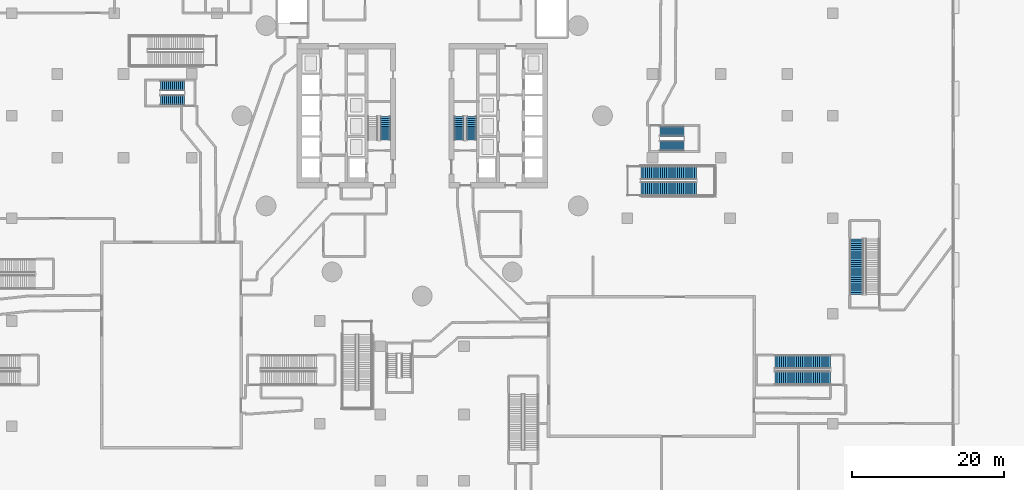
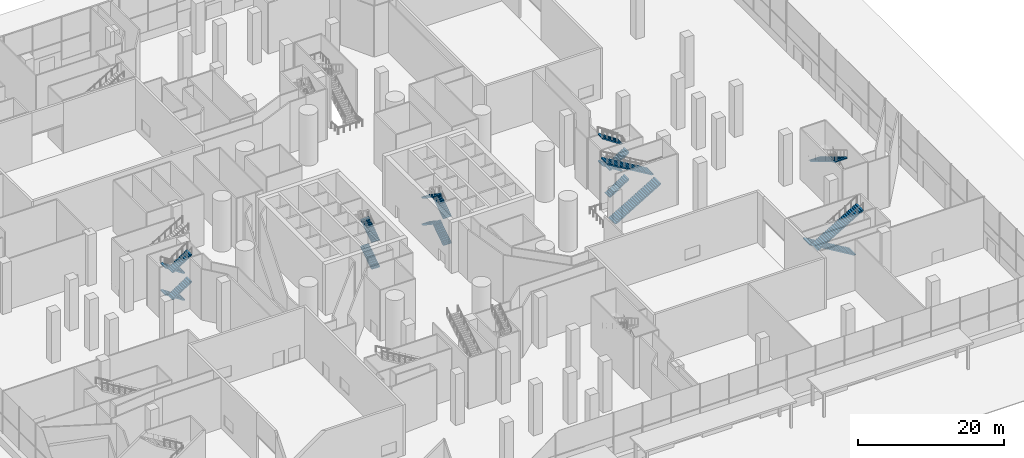
# One storey, part 35 of 54: 19 stair flights, 7 elements without a shape of their own.
"""IFC4 building model written with IfcOpenShell, lengths in metres."""

from ifc_helpers import new_model, si_unit, direction, frame, origin, place, context, subcontext, project, spatial, polyline, outline, extrude, material, type_object, element, aggregate, save


model = new_model("IFC4")

# Units and contexts
model_context = context("Model", 3, precision=1e-05, world=origin(), true_north=direction((0.0, 1.0)))
body_context = subcontext(model_context, "Body", "Model", "MODEL_VIEW")
ifc_project = project(units=[si_unit("LENGTHUNIT", "METRE"), si_unit("AREAUNIT", "SQUARE_METRE"), si_unit("VOLUMEUNIT", "CUBIC_METRE"), si_unit("PLANEANGLEUNIT", "RADIAN"), si_unit("MASSUNIT", "GRAM", prefix="KILO")], contexts=[model_context])

# Site, building, storey
site_placement = place(None, origin())
site = spatial("IfcSite", under=ifc_project, at=site_placement, CompositionType="ELEMENT")
building_placement = place(site_placement, origin())
building = spatial("IfcBuilding", under=site, at=building_placement, Name="Tamarind Cross Interchange Tower", CompositionType="ELEMENT")
storey_placement = place(building_placement, origin())
storey = spatial("IfcBuildingStorey", under=building, at=storey_placement, Name="L00", CompositionType="ELEMENT", Elevation=0.0)

# Stair, stair flights
ifc_material_1 = material(Name="Exit stair")
stair_type_1 = type_object("IfcStairType", Name="Exit stair", PredefinedType="HALF_TURN_STAIR", material=ifc_material_1)
stair_1_placement = place(storey_placement, origin())
stair_1 = element("IfcStair", 1, at=stair_1_placement, inside=storey, type_object=stair_type_1, Name="L00 exit stair ST1", PredefinedType="HALF_TURN_STAIR")
ifc_material_2 = material(Name="Exit stair flight")
stair_flight_type_1 = type_object("IfcStairFlightType", Name="Exit stair flight", PredefinedType="STRAIGHT", material=ifc_material_2)
stair_flight_1_placement = place(storey_placement, frame((-4.85009765625, -3.199951171875, 0.0), z_axis=(0.0, 0.0, 1.0), x_axis=(0.0, 1.0, 0.0)))
stair_flight_1 = element("IfcStairFlight", 2, at=stair_flight_1_placement, type_object=stair_flight_type_1, Name="ST1 flight 1", NumberOfRisers=13, NumberOfTreads=12, PredefinedType="STRAIGHT", RiserHeight=0.173076923, TreadLength=0.26, context=body_context, shape_type="SweptSolid", body=[
    extrude(outline(polyline([(0.0, 0.0), (0.0, 0.173095703125), (0.260009765625, 0.173095703125), (0.260009765625, 0.34619140625), (0.52001953125, 0.34619140625), (0.52001953125, 0.519287109375), (0.780029296875, 0.519287109375), (0.780029296875, 0.6923828125), (1.0400390625, 0.6923828125), (1.0400390625, 0.865478515625), (1.300048828125, 0.865478515625), (1.300048828125, 1.03857421875), (1.56005859375, 1.03857421875), (1.56005859375, 1.21142578125), (1.820068359375, 1.21142578125), (1.820068359375, 1.384521484375), (2.080078125, 1.384521484375), (2.080078125, 1.5576171875), (2.340087890625, 1.5576171875), (2.340087890625, 1.730712890625), (2.60009765625, 1.730712890625), (2.60009765625, 1.90380859375), (2.860107421875, 1.90380859375), (2.860107421875, 2.076904296875), (3.1201171875, 2.076904296875), (3.1201171875, 2.25), (3.1201171875, 1.896728515625), (0.2705078125, 0.0), (0.0, 0.0)])), frame((0.0, 0.64990234375, 0.0), z_axis=(0.0, -1.0, 0.0), x_axis=(1.0, 0.0, 0.0)), (0.0, 0.0, 1.0), 1.300048828125),
])
stair_flight_2_placement = place(storey_placement, frame((-4.85009765625, -3.199951171875, 4.5), z_axis=(0.0, 0.0, 1.0), x_axis=(0.0, 1.0, 0.0)))
stair_flight_2 = element("IfcStairFlight", 3, at=stair_flight_2_placement, type_object=stair_flight_type_1, Name="ST1 flight 3", NumberOfRisers=13, NumberOfTreads=12, PredefinedType="STRAIGHT", RiserHeight=0.173076923, TreadLength=0.26, context=body_context, shape_type="SweptSolid", body=[
    extrude(outline(polyline([(0.0, 0.0), (0.0, 0.173095703125), (0.260009765625, 0.173095703125), (0.260009765625, 0.34619140625), (0.52001953125, 0.34619140625), (0.52001953125, 0.519287109375), (0.780029296875, 0.519287109375), (0.780029296875, 0.6923828125), (1.0400390625, 0.6923828125), (1.0400390625, 0.865478515625), (1.300048828125, 0.865478515625), (1.300048828125, 1.03857421875), (1.56005859375, 1.03857421875), (1.56005859375, 1.21142578125), (1.820068359375, 1.21142578125), (1.820068359375, 1.384521484375), (2.080078125, 1.384521484375), (2.080078125, 1.5576171875), (2.340087890625, 1.5576171875), (2.340087890625, 1.730712890625), (2.60009765625, 1.730712890625), (2.60009765625, 1.90380859375), (2.860107421875, 1.90380859375), (2.860107421875, 2.076904296875), (3.1201171875, 2.076904296875), (3.1201171875, 2.25), (3.1201171875, 1.896728515625), (0.2705078125, 0.0), (0.0, 0.0)])), frame((0.0, 0.64990234375, 0.0), z_axis=(0.0, -1.0, 0.0), x_axis=(1.0, 0.0, 0.0)), (0.0, 0.0, 1.0), 1.300048828125),
])
aggregate(stair_1, [stair_flight_1, stair_flight_2])

stair_2_placement = place(storey_placement, origin())
stair_2 = element("IfcStair", 4, at=stair_2_placement, inside=storey, type_object=stair_type_1, Name="L00 exit stair ST2", PredefinedType="HALF_TURN_STAIR")
stair_flight_3_placement = place(storey_placement, frame((6.5, -3.199951171875, 0.0), z_axis=(0.0, 0.0, 1.0), x_axis=(0.0, 1.0, 0.0)))
stair_flight_3 = element("IfcStairFlight", 5, at=stair_flight_3_placement, type_object=stair_flight_type_1, Name="ST2 flight 1", NumberOfRisers=13, NumberOfTreads=12, PredefinedType="STRAIGHT", RiserHeight=0.173076923, TreadLength=0.26, context=body_context, shape_type="SweptSolid", body=[
    extrude(outline(polyline([(0.0, 0.0), (0.0, 0.173095703125), (0.260009765625, 0.173095703125), (0.260009765625, 0.34619140625), (0.52001953125, 0.34619140625), (0.52001953125, 0.519287109375), (0.780029296875, 0.519287109375), (0.780029296875, 0.6923828125), (1.0400390625, 0.6923828125), (1.0400390625, 0.865478515625), (1.300048828125, 0.865478515625), (1.300048828125, 1.03857421875), (1.56005859375, 1.03857421875), (1.56005859375, 1.21142578125), (1.820068359375, 1.21142578125), (1.820068359375, 1.384521484375), (2.080078125, 1.384521484375), (2.080078125, 1.5576171875), (2.340087890625, 1.5576171875), (2.340087890625, 1.730712890625), (2.60009765625, 1.730712890625), (2.60009765625, 1.90380859375), (2.860107421875, 1.90380859375), (2.860107421875, 2.076904296875), (3.1201171875, 2.076904296875), (3.1201171875, 2.25), (3.1201171875, 1.896728515625), (0.2705078125, 0.0), (0.0, 0.0)])), frame((0.0, 0.64990234375, 0.0), z_axis=(0.0, -1.0, 0.0), x_axis=(1.0, 0.0, 0.0)), (0.0, 0.0, 1.0), 1.300048828125),
])
stair_flight_4_placement = place(storey_placement, frame((4.85009765625, -0.080078125, 2.25), z_axis=(0.0, 0.0, 1.0), x_axis=(0.0, -1.0, 0.0)))
stair_flight_4 = element("IfcStairFlight", 6, at=stair_flight_4_placement, type_object=stair_flight_type_1, Name="ST2 flight 2", NumberOfRisers=13, NumberOfTreads=12, PredefinedType="STRAIGHT", RiserHeight=0.173076923, TreadLength=0.26, context=body_context, shape_type="SweptSolid", body=[
    extrude(outline(polyline([(0.0, 0.0), (0.0, 0.173095703125), (0.260009765625, 0.173095703125), (0.260009765625, 0.34619140625), (0.52001953125, 0.34619140625), (0.52001953125, 0.519287109375), (0.780029296875, 0.519287109375), (0.780029296875, 0.6923828125), (1.0400390625, 0.6923828125), (1.0400390625, 0.865478515625), (1.300048828125, 0.865478515625), (1.300048828125, 1.03857421875), (1.56005859375, 1.03857421875), (1.56005859375, 1.21142578125), (1.820068359375, 1.21142578125), (1.820068359375, 1.384521484375), (2.080078125, 1.384521484375), (2.080078125, 1.5576171875), (2.340087890625, 1.5576171875), (2.340087890625, 1.730712890625), (2.60009765625, 1.730712890625), (2.60009765625, 1.90380859375), (2.860107421875, 1.90380859375), (2.860107421875, 2.076904296875), (3.1201171875, 2.076904296875), (3.1201171875, 2.25), (3.1201171875, 1.896728515625), (0.2705078125, 0.0), (0.0, 0.0)])), frame((0.0, 0.64990234375, 0.0), z_axis=(0.0, -1.0, 0.0), x_axis=(1.0, 0.0, 0.0)), (0.0, 0.0, 1.0), 1.300048828125),
])
stair_flight_5_placement = place(storey_placement, frame((6.5, -3.199951171875, 4.5), z_axis=(0.0, 0.0, 1.0), x_axis=(0.0, 1.0, 0.0)))
stair_flight_5 = element("IfcStairFlight", 7, at=stair_flight_5_placement, type_object=stair_flight_type_1, Name="ST2 flight 3", NumberOfRisers=13, NumberOfTreads=12, PredefinedType="STRAIGHT", RiserHeight=0.173076923, TreadLength=0.26, context=body_context, shape_type="SweptSolid", body=[
    extrude(outline(polyline([(0.0, 0.0), (0.0, 0.173095703125), (0.260009765625, 0.173095703125), (0.260009765625, 0.34619140625), (0.52001953125, 0.34619140625), (0.52001953125, 0.519287109375), (0.780029296875, 0.519287109375), (0.780029296875, 0.6923828125), (1.0400390625, 0.6923828125), (1.0400390625, 0.865478515625), (1.300048828125, 0.865478515625), (1.300048828125, 1.03857421875), (1.56005859375, 1.03857421875), (1.56005859375, 1.21142578125), (1.820068359375, 1.21142578125), (1.820068359375, 1.384521484375), (2.080078125, 1.384521484375), (2.080078125, 1.5576171875), (2.340087890625, 1.5576171875), (2.340087890625, 1.730712890625), (2.60009765625, 1.730712890625), (2.60009765625, 1.90380859375), (2.860107421875, 1.90380859375), (2.860107421875, 2.076904296875), (3.1201171875, 2.076904296875), (3.1201171875, 2.25), (3.1201171875, 1.896728515625), (0.2705078125, 0.0), (0.0, 0.0)])), frame((0.0, 0.64990234375, 0.0), z_axis=(0.0, -1.0, 0.0), x_axis=(1.0, 0.0, 0.0)), (0.0, 0.0, 1.0), 1.300048828125),
])
stair_flight_6_placement = place(storey_placement, frame((4.85009765625, -0.080078125, 6.75), z_axis=(0.0, 0.0, 1.0), x_axis=(0.0, -1.0, 0.0)))
stair_flight_6 = element("IfcStairFlight", 8, at=stair_flight_6_placement, type_object=stair_flight_type_1, Name="ST2 flight 4", NumberOfRisers=13, NumberOfTreads=12, PredefinedType="STRAIGHT", RiserHeight=0.173076923, TreadLength=0.26, context=body_context, shape_type="SweptSolid", body=[
    extrude(outline(polyline([(0.0, 0.0), (0.0, 0.173095703125), (0.260009765625, 0.173095703125), (0.260009765625, 0.34619140625), (0.52001953125, 0.34619140625), (0.52001953125, 0.519287109375), (0.780029296875, 0.519287109375), (0.780029296875, 0.6923828125), (1.0400390625, 0.6923828125), (1.0400390625, 0.865478515625), (1.300048828125, 0.865478515625), (1.300048828125, 1.03857421875), (1.56005859375, 1.03857421875), (1.56005859375, 1.21142578125), (1.820068359375, 1.21142578125), (1.820068359375, 1.384521484375), (2.080078125, 1.384521484375), (2.080078125, 1.5576171875), (2.340087890625, 1.5576171875), (2.340087890625, 1.730712890625), (2.60009765625, 1.730712890625), (2.60009765625, 1.90380859375), (2.860107421875, 1.90380859375), (2.860107421875, 2.076904296875), (3.1201171875, 2.076904296875), (3.1201171875, 2.25), (3.1201171875, 1.896728515625), (0.2705078125, 0.0), (0.0, 0.0)])), frame((0.0, 0.64990234375, 0.0), z_axis=(0.0, -1.0, 0.0), x_axis=(1.0, 0.0, 0.0)), (0.0, 0.0, 1.0), 1.300048828125),
])
aggregate(stair_2, [stair_flight_3, stair_flight_4, stair_flight_5, stair_flight_6])

stair_3_placement = place(storey_placement, origin())
stair_3 = element("IfcStair", 9, at=stair_3_placement, inside=storey, type_object=stair_type_1, Name="L00 exit stair ST3", PredefinedType="HALF_TURN_STAIR")
stair_flight_7_placement = place(storey_placement, frame((31.300048828125, -3.949951171875, 0.0), z_axis=(0.0, 0.0, 1.0), x_axis=(1.0, 0.0, 0.0)))
stair_flight_7 = element("IfcStairFlight", 10, at=stair_flight_7_placement, type_object=stair_flight_type_1, Name="ST3 flight 1", NumberOfRisers=13, NumberOfTreads=12, PredefinedType="STRAIGHT", RiserHeight=0.173076923, TreadLength=0.26, context=body_context, shape_type="SweptSolid", body=[
    extrude(outline(polyline([(0.0, 0.0), (0.0, 0.173095703125), (0.260009765625, 0.173095703125), (0.260009765625, 0.34619140625), (0.52001953125, 0.34619140625), (0.52001953125, 0.519287109375), (0.780029296875, 0.519287109375), (0.780029296875, 0.6923828125), (1.0400390625, 0.6923828125), (1.0400390625, 0.865478515625), (1.300048828125, 0.865478515625), (1.300048828125, 1.03857421875), (1.56005859375, 1.03857421875), (1.56005859375, 1.21142578125), (1.820068359375, 1.21142578125), (1.820068359375, 1.384521484375), (2.080078125, 1.384521484375), (2.080078125, 1.5576171875), (2.340087890625, 1.5576171875), (2.340087890625, 1.730712890625), (2.60009765625, 1.730712890625), (2.60009765625, 1.90380859375), (2.860107421875, 1.90380859375), (2.860107421875, 2.076904296875), (3.1201171875, 2.076904296875), (3.1201171875, 2.25), (3.1201171875, 1.896728515625), (0.2705078125, 0.0), (0.0, 0.0)])), frame((0.0, 0.64990234375, 0.0), z_axis=(0.0, -1.0, 0.0), x_axis=(1.0, 0.0, 0.0)), (0.0, 0.0, 1.0), 1.300048828125),
])
stair_flight_8_placement = place(storey_placement, frame((34.419921875, -2.050048828125, 2.25), z_axis=(0.0, 0.0, 1.0), x_axis=(-1.0, 0.0, 0.0)))
stair_flight_8 = element("IfcStairFlight", 11, at=stair_flight_8_placement, type_object=stair_flight_type_1, Name="ST3 flight 2", NumberOfRisers=13, NumberOfTreads=12, PredefinedType="STRAIGHT", RiserHeight=0.173076923, TreadLength=0.26, context=body_context, shape_type="SweptSolid", body=[
    extrude(outline(polyline([(0.0, 0.0), (0.0, 0.173095703125), (0.260009765625, 0.173095703125), (0.260009765625, 0.34619140625), (0.52001953125, 0.34619140625), (0.52001953125, 0.519287109375), (0.780029296875, 0.519287109375), (0.780029296875, 0.6923828125), (1.0400390625, 0.6923828125), (1.0400390625, 0.865478515625), (1.300048828125, 0.865478515625), (1.300048828125, 1.03857421875), (1.56005859375, 1.03857421875), (1.56005859375, 1.21142578125), (1.820068359375, 1.21142578125), (1.820068359375, 1.384521484375), (2.080078125, 1.384521484375), (2.080078125, 1.5576171875), (2.340087890625, 1.5576171875), (2.340087890625, 1.730712890625), (2.60009765625, 1.730712890625), (2.60009765625, 1.90380859375), (2.860107421875, 1.90380859375), (2.860107421875, 2.076904296875), (3.1201171875, 2.076904296875), (3.1201171875, 2.25), (3.1201171875, 1.896728515625), (0.2705078125, 0.0), (0.0, 0.0)])), frame((0.0, 0.64990234375, 0.0), z_axis=(0.0, -1.0, 0.0), x_axis=(1.0, 0.0, 0.0)), (0.0, 0.0, 1.0), 1.300048828125),
])
stair_flight_9_placement = place(storey_placement, frame((31.300048828125, -3.949951171875, 4.5), z_axis=(0.0, 0.0, 1.0), x_axis=(1.0, 0.0, 0.0)))
stair_flight_9 = element("IfcStairFlight", 12, at=stair_flight_9_placement, type_object=stair_flight_type_1, Name="ST3 flight 3", NumberOfRisers=13, NumberOfTreads=12, PredefinedType="STRAIGHT", RiserHeight=0.173076923, TreadLength=0.26, context=body_context, shape_type="SweptSolid", body=[
    extrude(outline(polyline([(0.0, 0.0), (0.0, 0.173095703125), (0.260009765625, 0.173095703125), (0.260009765625, 0.34619140625), (0.52001953125, 0.34619140625), (0.52001953125, 0.519287109375), (0.780029296875, 0.519287109375), (0.780029296875, 0.6923828125), (1.0400390625, 0.6923828125), (1.0400390625, 0.865478515625), (1.300048828125, 0.865478515625), (1.300048828125, 1.03857421875), (1.56005859375, 1.03857421875), (1.56005859375, 1.21142578125), (1.820068359375, 1.21142578125), (1.820068359375, 1.384521484375), (2.080078125, 1.384521484375), (2.080078125, 1.5576171875), (2.340087890625, 1.5576171875), (2.340087890625, 1.730712890625), (2.60009765625, 1.730712890625), (2.60009765625, 1.90380859375), (2.860107421875, 1.90380859375), (2.860107421875, 2.076904296875), (3.1201171875, 2.076904296875), (3.1201171875, 2.25), (3.1201171875, 1.896728515625), (0.2705078125, 0.0), (0.0, 0.0)])), frame((0.0, 0.64990234375, 0.0), z_axis=(0.0, -1.0, 0.0), x_axis=(1.0, 0.0, 0.0)), (0.0, 0.0, 1.0), 1.300048828125),
])
stair_flight_10_placement = place(storey_placement, frame((34.419921875, -2.050048828125, 6.75), z_axis=(0.0, 0.0, 1.0), x_axis=(-1.0, 0.0, 0.0)))
stair_flight_10 = element("IfcStairFlight", 13, at=stair_flight_10_placement, type_object=stair_flight_type_1, Name="ST3 flight 4", NumberOfRisers=13, NumberOfTreads=12, PredefinedType="STRAIGHT", RiserHeight=0.173076923, TreadLength=0.26, context=body_context, shape_type="SweptSolid", body=[
    extrude(outline(polyline([(0.0, 0.0), (0.0, 0.173095703125), (0.260009765625, 0.173095703125), (0.260009765625, 0.34619140625), (0.52001953125, 0.34619140625), (0.52001953125, 0.519287109375), (0.780029296875, 0.519287109375), (0.780029296875, 0.6923828125), (1.0400390625, 0.6923828125), (1.0400390625, 0.865478515625), (1.300048828125, 0.865478515625), (1.300048828125, 1.03857421875), (1.56005859375, 1.03857421875), (1.56005859375, 1.21142578125), (1.820068359375, 1.21142578125), (1.820068359375, 1.384521484375), (2.080078125, 1.384521484375), (2.080078125, 1.5576171875), (2.340087890625, 1.5576171875), (2.340087890625, 1.730712890625), (2.60009765625, 1.730712890625), (2.60009765625, 1.90380859375), (2.860107421875, 1.90380859375), (2.860107421875, 2.076904296875), (3.1201171875, 2.076904296875), (3.1201171875, 2.25), (3.1201171875, 1.896728515625), (0.2705078125, 0.0), (0.0, 0.0)])), frame((0.0, 0.64990234375, 0.0), z_axis=(0.0, -1.0, 0.0), x_axis=(1.0, 0.0, 0.0)), (0.0, 0.0, 1.0), 1.300048828125),
])
aggregate(stair_3, [stair_flight_7, stair_flight_8, stair_flight_9, stair_flight_10])

stair_4_placement = place(storey_placement, origin())
stair_4 = element("IfcStair", 14, at=stair_4_placement, inside=storey, type_object=stair_type_1, Name="L00 exit stair ST5", PredefinedType="HALF_TURN_STAIR")
stair_flight_11_placement = place(storey_placement, frame((-31.300048828125, 3.949951171875, 0.0), z_axis=(0.0, 0.0, 1.0), x_axis=(-1.0, 0.0, 0.0)))
stair_flight_11 = element("IfcStairFlight", 15, at=stair_flight_11_placement, type_object=stair_flight_type_1, Name="ST5 flight 1", NumberOfRisers=13, NumberOfTreads=12, PredefinedType="STRAIGHT", RiserHeight=0.173076923, TreadLength=0.26, context=body_context, shape_type="SweptSolid", body=[
    extrude(outline(polyline([(0.0, 0.0), (0.0, 0.173095703125), (0.260009765625, 0.173095703125), (0.260009765625, 0.34619140625), (0.52001953125, 0.34619140625), (0.52001953125, 0.519287109375), (0.780029296875, 0.519287109375), (0.780029296875, 0.6923828125), (1.0400390625, 0.6923828125), (1.0400390625, 0.865478515625), (1.300048828125, 0.865478515625), (1.300048828125, 1.03857421875), (1.56005859375, 1.03857421875), (1.56005859375, 1.21142578125), (1.820068359375, 1.21142578125), (1.820068359375, 1.384521484375), (2.080078125, 1.384521484375), (2.080078125, 1.5576171875), (2.340087890625, 1.5576171875), (2.340087890625, 1.730712890625), (2.60009765625, 1.730712890625), (2.60009765625, 1.90380859375), (2.860107421875, 1.90380859375), (2.860107421875, 2.076904296875), (3.1201171875, 2.076904296875), (3.1201171875, 2.25), (3.1201171875, 1.896728515625), (0.2705078125, 0.0), (0.0, 0.0)])), frame((0.0, 0.64990234375, 0.0), z_axis=(0.0, -1.0, 0.0), x_axis=(1.0, 0.0, 0.0)), (0.0, 0.0, 1.0), 1.300048828125),
])
stair_flight_12_placement = place(storey_placement, frame((-34.419921875, 2.050048828125, 2.25), z_axis=(0.0, 0.0, 1.0), x_axis=(1.0, 0.0, 0.0)))
stair_flight_12 = element("IfcStairFlight", 16, at=stair_flight_12_placement, type_object=stair_flight_type_1, Name="ST5 flight 2", NumberOfRisers=13, NumberOfTreads=12, PredefinedType="STRAIGHT", RiserHeight=0.173076923, TreadLength=0.26, context=body_context, shape_type="SweptSolid", body=[
    extrude(outline(polyline([(0.0, 0.0), (0.0, 0.173095703125), (0.260009765625, 0.173095703125), (0.260009765625, 0.34619140625), (0.52001953125, 0.34619140625), (0.52001953125, 0.519287109375), (0.780029296875, 0.519287109375), (0.780029296875, 0.6923828125), (1.0400390625, 0.6923828125), (1.0400390625, 0.865478515625), (1.300048828125, 0.865478515625), (1.300048828125, 1.03857421875), (1.56005859375, 1.03857421875), (1.56005859375, 1.21142578125), (1.820068359375, 1.21142578125), (1.820068359375, 1.384521484375), (2.080078125, 1.384521484375), (2.080078125, 1.5576171875), (2.340087890625, 1.5576171875), (2.340087890625, 1.730712890625), (2.60009765625, 1.730712890625), (2.60009765625, 1.90380859375), (2.860107421875, 1.90380859375), (2.860107421875, 2.076904296875), (3.1201171875, 2.076904296875), (3.1201171875, 2.25), (3.1201171875, 1.896728515625), (0.2705078125, 0.0), (0.0, 0.0)])), frame((0.0, 0.64990234375, 0.0), z_axis=(0.0, -1.0, 0.0), x_axis=(1.0, 0.0, 0.0)), (0.0, 0.0, 1.0), 1.300048828125),
])
stair_flight_13_placement = place(storey_placement, frame((-31.300048828125, 3.949951171875, 4.5), z_axis=(0.0, 0.0, 1.0), x_axis=(-1.0, 0.0, 0.0)))
stair_flight_13 = element("IfcStairFlight", 17, at=stair_flight_13_placement, type_object=stair_flight_type_1, Name="ST5 flight 3", NumberOfRisers=13, NumberOfTreads=12, PredefinedType="STRAIGHT", RiserHeight=0.173076923, TreadLength=0.26, context=body_context, shape_type="SweptSolid", body=[
    extrude(outline(polyline([(0.0, 0.0), (0.0, 0.173095703125), (0.260009765625, 0.173095703125), (0.260009765625, 0.34619140625), (0.52001953125, 0.34619140625), (0.52001953125, 0.519287109375), (0.780029296875, 0.519287109375), (0.780029296875, 0.6923828125), (1.0400390625, 0.6923828125), (1.0400390625, 0.865478515625), (1.300048828125, 0.865478515625), (1.300048828125, 1.03857421875), (1.56005859375, 1.03857421875), (1.56005859375, 1.21142578125), (1.820068359375, 1.21142578125), (1.820068359375, 1.384521484375), (2.080078125, 1.384521484375), (2.080078125, 1.5576171875), (2.340087890625, 1.5576171875), (2.340087890625, 1.730712890625), (2.60009765625, 1.730712890625), (2.60009765625, 1.90380859375), (2.860107421875, 1.90380859375), (2.860107421875, 2.076904296875), (3.1201171875, 2.076904296875), (3.1201171875, 2.25), (3.1201171875, 1.896728515625), (0.2705078125, 0.0), (0.0, 0.0)])), frame((0.0, 0.64990234375, 0.0), z_axis=(0.0, -1.0, 0.0), x_axis=(1.0, 0.0, 0.0)), (0.0, 0.0, 1.0), 1.300048828125),
])
stair_flight_14_placement = place(storey_placement, frame((-34.419921875, 2.050048828125, 6.75), z_axis=(0.0, 0.0, 1.0), x_axis=(1.0, 0.0, 0.0)))
stair_flight_14 = element("IfcStairFlight", 18, at=stair_flight_14_placement, type_object=stair_flight_type_1, Name="ST5 flight 4", NumberOfRisers=13, NumberOfTreads=12, PredefinedType="STRAIGHT", RiserHeight=0.173076923, TreadLength=0.26, context=body_context, shape_type="SweptSolid", body=[
    extrude(outline(polyline([(0.0, 0.0), (0.0, 0.173095703125), (0.260009765625, 0.173095703125), (0.260009765625, 0.34619140625), (0.52001953125, 0.34619140625), (0.52001953125, 0.519287109375), (0.780029296875, 0.519287109375), (0.780029296875, 0.6923828125), (1.0400390625, 0.6923828125), (1.0400390625, 0.865478515625), (1.300048828125, 0.865478515625), (1.300048828125, 1.03857421875), (1.56005859375, 1.03857421875), (1.56005859375, 1.21142578125), (1.820068359375, 1.21142578125), (1.820068359375, 1.384521484375), (2.080078125, 1.384521484375), (2.080078125, 1.5576171875), (2.340087890625, 1.5576171875), (2.340087890625, 1.730712890625), (2.60009765625, 1.730712890625), (2.60009765625, 1.90380859375), (2.860107421875, 1.90380859375), (2.860107421875, 2.076904296875), (3.1201171875, 2.076904296875), (3.1201171875, 2.25), (3.1201171875, 1.896728515625), (0.2705078125, 0.0), (0.0, 0.0)])), frame((0.0, 0.64990234375, 0.0), z_axis=(0.0, -1.0, 0.0), x_axis=(1.0, 0.0, 0.0)), (0.0, 0.0, 1.0), 1.300048828125),
])
aggregate(stair_4, [stair_flight_11, stair_flight_12, stair_flight_13, stair_flight_14])

ifc_material_3 = material(Name="Public stair")
stair_type_2 = type_object("IfcStairType", Name="Public stair", PredefinedType="HALF_TURN_STAIR", material=ifc_material_3)
stair_5_placement = place(storey_placement, origin())
stair_5 = element("IfcStair", 19, at=stair_5_placement, inside=storey, type_object=stair_type_2, Name="L00 public stair PS-E", PredefinedType="HALF_TURN_STAIR")
ifc_material_4 = material(Name="Public stair flight")
stair_flight_type_2 = type_object("IfcStairFlightType", Name="Public stair flight", PredefinedType="STRAIGHT", material=ifc_material_4)
stair_flight_15_placement = place(storey_placement, frame((28.800048828125, -9.60009765625, 0.0), z_axis=(0.0, 0.0, 1.0), x_axis=(1.0, 0.0, 0.0)))
stair_flight_15 = element("IfcStairFlight", 20, at=stair_flight_15_placement, type_object=stair_flight_type_2, Name="PS-E flight 1", NumberOfRisers=27, NumberOfTreads=26, PredefinedType="STRAIGHT", RiserHeight=0.166666667, TreadLength=0.28, context=body_context, shape_type="SweptSolid", body=[
    extrude(outline(polyline([(0.0, 0.0), (0.0, 0.166748046875), (0.280029296875, 0.166748046875), (0.280029296875, 0.333251953125), (0.56005859375, 0.333251953125), (0.56005859375, 0.5), (0.840087890625, 0.5), (0.840087890625, 0.666748046875), (1.1201171875, 0.666748046875), (1.1201171875, 0.833251953125), (1.39990234375, 0.833251953125), (1.39990234375, 1.0), (1.679931640625, 1.0), (1.679931640625, 1.166748046875), (1.9599609375, 1.166748046875), (1.9599609375, 1.333251953125), (2.239990234375, 1.333251953125), (2.239990234375, 1.5), (2.52001953125, 1.5), (2.52001953125, 1.666748046875), (2.800048828125, 1.666748046875), (2.800048828125, 1.833251953125), (3.080078125, 1.833251953125), (3.080078125, 2.0), (3.360107421875, 2.0), (3.360107421875, 2.166748046875), (3.639892578125, 2.166748046875), (3.639892578125, 2.333251953125), (3.919921875, 2.333251953125), (3.919921875, 2.5), (4.199951171875, 2.5), (4.199951171875, 2.666748046875), (4.47998046875, 2.666748046875), (4.47998046875, 2.833251953125), (4.760009765625, 2.833251953125), (4.760009765625, 3.0), (5.0400390625, 3.0), (5.0400390625, 3.166748046875), (5.320068359375, 3.166748046875), (5.320068359375, 3.333251953125), (5.60009765625, 3.333251953125), (5.60009765625, 3.5), (5.8798828125, 3.5), (5.8798828125, 3.666748046875), (6.159912109375, 3.666748046875), (6.159912109375, 3.833251953125), (6.43994140625, 3.833251953125), (6.43994140625, 4.0), (6.719970703125, 4.0), (6.719970703125, 4.166748046875), (7.0, 4.166748046875), (7.0, 4.333251953125), (7.280029296875, 4.333251953125), (7.280029296875, 4.5), (7.280029296875, 4.158935546875), (0.29296875, 0.0), (0.0, 0.0)])), frame((0.0, 0.89990234375, 0.0), z_axis=(0.0, -1.0, 0.0), x_axis=(1.0, 0.0, 0.0)), (0.0, 0.0, 1.0), 1.800048828125),
])
stair_flight_16_placement = place(storey_placement, frame((36.080078125, -7.5, 4.5), z_axis=(0.0, 0.0, 1.0), x_axis=(-1.0, 0.0, 0.0)))
stair_flight_16 = element("IfcStairFlight", 21, at=stair_flight_16_placement, type_object=stair_flight_type_2, Name="PS-E flight 2", NumberOfRisers=27, NumberOfTreads=26, PredefinedType="STRAIGHT", RiserHeight=0.166666667, TreadLength=0.28, context=body_context, shape_type="SweptSolid", body=[
    extrude(outline(polyline([(0.0, 0.0), (0.0, 0.166748046875), (0.280029296875, 0.166748046875), (0.280029296875, 0.333251953125), (0.56005859375, 0.333251953125), (0.56005859375, 0.5), (0.840087890625, 0.5), (0.840087890625, 0.666748046875), (1.1201171875, 0.666748046875), (1.1201171875, 0.833251953125), (1.39990234375, 0.833251953125), (1.39990234375, 1.0), (1.679931640625, 1.0), (1.679931640625, 1.166748046875), (1.9599609375, 1.166748046875), (1.9599609375, 1.333251953125), (2.239990234375, 1.333251953125), (2.239990234375, 1.5), (2.52001953125, 1.5), (2.52001953125, 1.666748046875), (2.800048828125, 1.666748046875), (2.800048828125, 1.833251953125), (3.080078125, 1.833251953125), (3.080078125, 2.0), (3.360107421875, 2.0), (3.360107421875, 2.166748046875), (3.639892578125, 2.166748046875), (3.639892578125, 2.333251953125), (3.919921875, 2.333251953125), (3.919921875, 2.5), (4.199951171875, 2.5), (4.199951171875, 2.666748046875), (4.47998046875, 2.666748046875), (4.47998046875, 2.833251953125), (4.760009765625, 2.833251953125), (4.760009765625, 3.0), (5.0400390625, 3.0), (5.0400390625, 3.166748046875), (5.320068359375, 3.166748046875), (5.320068359375, 3.333251953125), (5.60009765625, 3.333251953125), (5.60009765625, 3.5), (5.8798828125, 3.5), (5.8798828125, 3.666748046875), (6.159912109375, 3.666748046875), (6.159912109375, 3.833251953125), (6.43994140625, 3.833251953125), (6.43994140625, 4.0), (6.719970703125, 4.0), (6.719970703125, 4.166748046875), (7.0, 4.166748046875), (7.0, 4.333251953125), (7.280029296875, 4.333251953125), (7.280029296875, 4.5), (7.280029296875, 4.158935546875), (0.29296875, 0.0), (0.0, 0.0)])), frame((0.0, 0.89990234375, 0.0), z_axis=(0.0, -1.0, 0.0), x_axis=(1.0, 0.0, 0.0)), (0.0, 0.0, 1.0), 1.800048828125),
])
aggregate(stair_5, [stair_flight_15, stair_flight_16])

stair_6_placement = place(storey_placement, origin())
stair_6 = element("IfcStair", 22, at=stair_6_placement, inside=storey, type_object=stair_type_2, Name="L00 exit stair XS-P10", PredefinedType="HALF_TURN_STAIR")
stair_flight_17_placement = place(storey_placement, frame((53.699951171875, -32.39990234375, 0.0), z_axis=(0.0, 0.0, 1.0), x_axis=(-1.0, 0.0, 0.0)))
stair_flight_17 = element("IfcStairFlight", 23, at=stair_flight_17_placement, type_object=stair_flight_type_2, Name="XS-P10 flight 1", NumberOfRisers=27, NumberOfTreads=26, PredefinedType="STRAIGHT", RiserHeight=0.166666667, TreadLength=0.28, context=body_context, shape_type="SweptSolid", body=[
    extrude(outline(polyline([(0.0, 0.0), (0.0, 0.166748046875), (0.280029296875, 0.166748046875), (0.280029296875, 0.333251953125), (0.56005859375, 0.333251953125), (0.56005859375, 0.5), (0.840087890625, 0.5), (0.840087890625, 0.666748046875), (1.1201171875, 0.666748046875), (1.1201171875, 0.833251953125), (1.39990234375, 0.833251953125), (1.39990234375, 1.0), (1.679931640625, 1.0), (1.679931640625, 1.166748046875), (1.9599609375, 1.166748046875), (1.9599609375, 1.333251953125), (2.239990234375, 1.333251953125), (2.239990234375, 1.5), (2.52001953125, 1.5), (2.52001953125, 1.666748046875), (2.800048828125, 1.666748046875), (2.800048828125, 1.833251953125), (3.080078125, 1.833251953125), (3.080078125, 2.0), (3.360107421875, 2.0), (3.360107421875, 2.166748046875), (3.639892578125, 2.166748046875), (3.639892578125, 2.333251953125), (3.919921875, 2.333251953125), (3.919921875, 2.5), (4.199951171875, 2.5), (4.199951171875, 2.666748046875), (4.47998046875, 2.666748046875), (4.47998046875, 2.833251953125), (4.760009765625, 2.833251953125), (4.760009765625, 3.0), (5.0400390625, 3.0), (5.0400390625, 3.166748046875), (5.320068359375, 3.166748046875), (5.320068359375, 3.333251953125), (5.60009765625, 3.333251953125), (5.60009765625, 3.5), (5.8798828125, 3.5), (5.8798828125, 3.666748046875), (6.159912109375, 3.666748046875), (6.159912109375, 3.833251953125), (6.43994140625, 3.833251953125), (6.43994140625, 4.0), (6.719970703125, 4.0), (6.719970703125, 4.166748046875), (7.0, 4.166748046875), (7.0, 4.333251953125), (7.280029296875, 4.333251953125), (7.280029296875, 4.5), (7.280029296875, 4.158935546875), (0.29296875, 0.0), (0.0, 0.0)])), frame((0.0, 0.89990234375, 0.0), z_axis=(0.0, -1.0, 0.0), x_axis=(1.0, 0.0, 0.0)), (0.0, 0.0, 1.0), 1.800048828125),
])
stair_flight_18_placement = place(storey_placement, frame((46.419921875, -34.5, 4.5), z_axis=(0.0, 0.0, 1.0), x_axis=(1.0, 0.0, 0.0)))
stair_flight_18 = element("IfcStairFlight", 24, at=stair_flight_18_placement, type_object=stair_flight_type_2, Name="XS-P10 flight 2", NumberOfRisers=27, NumberOfTreads=26, PredefinedType="STRAIGHT", RiserHeight=0.166666667, TreadLength=0.28, context=body_context, shape_type="SweptSolid", body=[
    extrude(outline(polyline([(0.0, 0.0), (0.0, 0.166748046875), (0.280029296875, 0.166748046875), (0.280029296875, 0.333251953125), (0.56005859375, 0.333251953125), (0.56005859375, 0.5), (0.840087890625, 0.5), (0.840087890625, 0.666748046875), (1.1201171875, 0.666748046875), (1.1201171875, 0.833251953125), (1.39990234375, 0.833251953125), (1.39990234375, 1.0), (1.679931640625, 1.0), (1.679931640625, 1.166748046875), (1.9599609375, 1.166748046875), (1.9599609375, 1.333251953125), (2.239990234375, 1.333251953125), (2.239990234375, 1.5), (2.52001953125, 1.5), (2.52001953125, 1.666748046875), (2.800048828125, 1.666748046875), (2.800048828125, 1.833251953125), (3.080078125, 1.833251953125), (3.080078125, 2.0), (3.360107421875, 2.0), (3.360107421875, 2.166748046875), (3.639892578125, 2.166748046875), (3.639892578125, 2.333251953125), (3.919921875, 2.333251953125), (3.919921875, 2.5), (4.199951171875, 2.5), (4.199951171875, 2.666748046875), (4.47998046875, 2.666748046875), (4.47998046875, 2.833251953125), (4.760009765625, 2.833251953125), (4.760009765625, 3.0), (5.0400390625, 3.0), (5.0400390625, 3.166748046875), (5.320068359375, 3.166748046875), (5.320068359375, 3.333251953125), (5.60009765625, 3.333251953125), (5.60009765625, 3.5), (5.8798828125, 3.5), (5.8798828125, 3.666748046875), (6.159912109375, 3.666748046875), (6.159912109375, 3.833251953125), (6.43994140625, 3.833251953125), (6.43994140625, 4.0), (6.719970703125, 4.0), (6.719970703125, 4.166748046875), (7.0, 4.166748046875), (7.0, 4.333251953125), (7.280029296875, 4.333251953125), (7.280029296875, 4.5), (7.280029296875, 4.158935546875), (0.29296875, 0.0), (0.0, 0.0)])), frame((0.0, 0.89990234375, 0.0), z_axis=(0.0, -1.0, 0.0), x_axis=(1.0, 0.0, 0.0)), (0.0, 0.0, 1.0), 1.800048828125),
])
aggregate(stair_6, [stair_flight_17, stair_flight_18])

# Stair, stair flight
stair_7_placement = place(storey_placement, origin())
stair_7 = element("IfcStair", 25, at=stair_7_placement, inside=storey, type_object=stair_type_2, Name="L00 exit stair XS-P11", PredefinedType="HALF_TURN_STAIR")
stair_flight_19_placement = place(storey_placement, frame((57.14990234375, -16.219970703125, 4.5), z_axis=(0.0, 0.0, 1.0), x_axis=(0.0, -1.0, 0.0)))
stair_flight_19 = element("IfcStairFlight", 26, at=stair_flight_19_placement, type_object=stair_flight_type_2, Name="XS-P11 flight 2", NumberOfRisers=27, NumberOfTreads=26, PredefinedType="STRAIGHT", RiserHeight=0.166666667, TreadLength=0.28, context=body_context, shape_type="SweptSolid", body=[
    extrude(outline(polyline([(0.0, 0.0), (0.0, 0.166748046875), (0.280029296875, 0.166748046875), (0.280029296875, 0.333251953125), (0.56005859375, 0.333251953125), (0.56005859375, 0.5), (0.840087890625, 0.5), (0.840087890625, 0.666748046875), (1.1201171875, 0.666748046875), (1.1201171875, 0.833251953125), (1.39990234375, 0.833251953125), (1.39990234375, 1.0), (1.679931640625, 1.0), (1.679931640625, 1.166748046875), (1.9599609375, 1.166748046875), (1.9599609375, 1.333251953125), (2.239990234375, 1.333251953125), (2.239990234375, 1.5), (2.52001953125, 1.5), (2.52001953125, 1.666748046875), (2.800048828125, 1.666748046875), (2.800048828125, 1.833251953125), (3.080078125, 1.833251953125), (3.080078125, 2.0), (3.360107421875, 2.0), (3.360107421875, 2.166748046875), (3.639892578125, 2.166748046875), (3.639892578125, 2.333251953125), (3.919921875, 2.333251953125), (3.919921875, 2.5), (4.199951171875, 2.5), (4.199951171875, 2.666748046875), (4.47998046875, 2.666748046875), (4.47998046875, 2.833251953125), (4.760009765625, 2.833251953125), (4.760009765625, 3.0), (5.0400390625, 3.0), (5.0400390625, 3.166748046875), (5.320068359375, 3.166748046875), (5.320068359375, 3.333251953125), (5.60009765625, 3.333251953125), (5.60009765625, 3.5), (5.8798828125, 3.5), (5.8798828125, 3.666748046875), (6.159912109375, 3.666748046875), (6.159912109375, 3.833251953125), (6.43994140625, 3.833251953125), (6.43994140625, 4.0), (6.719970703125, 4.0), (6.719970703125, 4.166748046875), (7.0, 4.166748046875), (7.0, 4.333251953125), (7.280029296875, 4.333251953125), (7.280029296875, 4.5), (7.280029296875, 4.158935546875), (0.29296875, 0.0), (0.0, 0.0)])), frame((0.0, 0.89990234375, 0.0), z_axis=(0.0, -1.0, 0.0), x_axis=(1.0, 0.0, 0.0)), (0.0, 0.0, 1.0), 1.800048828125),
])
aggregate(stair_7, [stair_flight_19])

save(model, "model.ifc")
